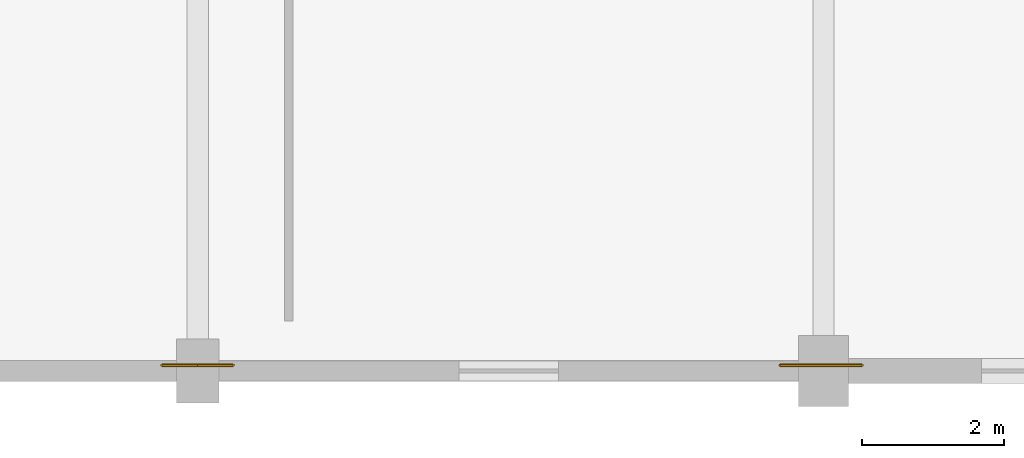
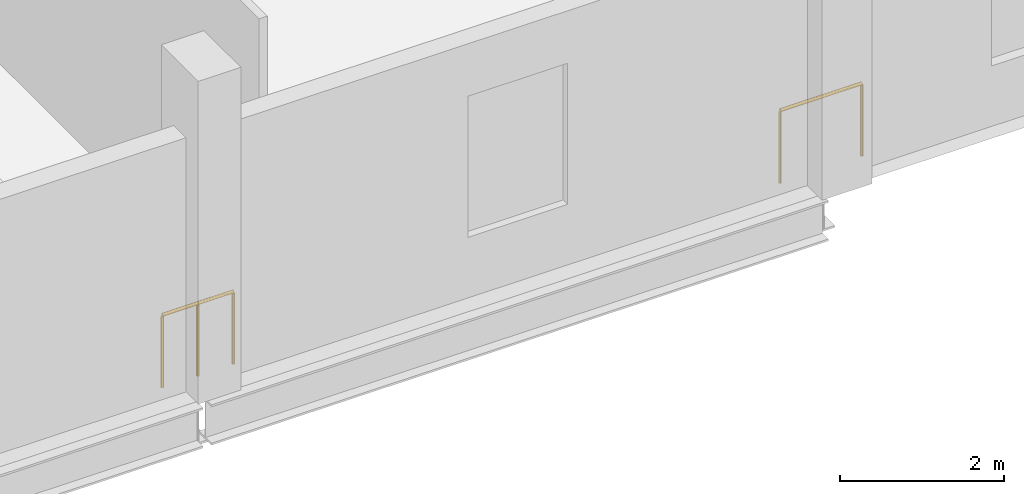
# One storey, part 56 of 74: 3 railings.
"""IFC4 building model written with IfcOpenShell, lengths in metres."""

from ifc_helpers import new_model, si_unit, direction, frame, origin, origin_2d, place, context, subcontext, project, spatial, circle, extrude, material, type_object, element, save


model = new_model("IFC4")

# Units and contexts
model_context = context("Model", 3, precision=1e-05, world=origin(), true_north=direction((0.0, 1.0)))
body_context = subcontext(model_context, "Body", "Model", "MODEL_VIEW")
ifc_project = project(units=[si_unit("LENGTHUNIT", "METRE"), si_unit("AREAUNIT", "SQUARE_METRE"), si_unit("VOLUMEUNIT", "CUBIC_METRE"), si_unit("PLANEANGLEUNIT", "RADIAN"), si_unit("MASSUNIT", "GRAM", prefix="KILO")], contexts=[model_context])

# Site, building, storey
site_placement = place(None, origin())
site = spatial("IfcSite", under=ifc_project, at=site_placement, CompositionType="ELEMENT")
building_placement = place(site_placement, origin())
building = spatial("IfcBuilding", under=site, at=building_placement, Name="Koshinbarg Plaza Stadium", CompositionType="ELEMENT")
storey_placement = place(building_placement, frame((0.0, 0.0, 15.0)))
storey = spatial("IfcBuildingStorey", under=building, at=storey_placement, Name="L03", CompositionType="ELEMENT", Elevation=15.0)

# Railings
ifc_material = material(Name="Toughened laminated glass and stainless steel sightline balustrade", Category="steel")
railing_type = type_object("IfcRailingType", Name="RL-BOWL-1100", PredefinedType="BALUSTRADE", material=ifc_material)
railing_1_placement = place(storey_placement, frame((72.39990234375, 0.080078125, 0.0)))
element("IfcRailing", 1, at=railing_1_placement, inside=storey, type_object=railing_type, Name="L03 deck edge safety balustrade 0260", PredefinedType="BALUSTRADE", context=body_context, shape_type="SweptSolid", body=[
    extrude(circle(Radius=0.02392578125, at=origin_2d()), frame((0.0, 0.0, 1.076171875), z_axis=(-1.0, 0.0, 0.0), x_axis=(0.0, -1.0, 0.0)), (0.0, 0.0, 1.0), 0.49951171875),
    extrude(circle(Radius=0.02099609375, at=origin_2d()), origin(), (0.0, 0.0, 1.0), 1.052001953125),
    extrude(circle(Radius=0.02099609375, at=origin_2d()), frame((-0.49951171875, 0.0, 0.0)), (0.0, 0.0, 1.0), 1.052001953125),
])
railing_2_placement = place(storey_placement, frame((81.74072265625, 0.080078125, 0.0)))
element("IfcRailing", 2, at=railing_2_placement, inside=storey, type_object=railing_type, Name="L03 deck edge safety balustrade 0266", PredefinedType="BALUSTRADE", context=body_context, shape_type="SweptSolid", body=[
    extrude(circle(Radius=0.02392578125, at=origin_2d()), frame((0.0, 0.0, 1.076171875), z_axis=(-1.0, 0.0, 0.0), x_axis=(0.0, -1.0, 0.0)), (0.0, 0.0, 1.0), 1.149169921875),
    extrude(circle(Radius=0.02099609375, at=origin_2d()), origin(), (0.0, 0.0, 1.0), 1.052001953125),
    extrude(circle(Radius=0.02099609375, at=origin_2d()), frame((-1.149169921875, 0.0, 0.0)), (0.0, 0.0, 1.0), 1.052001953125),
])
railing_3_placement = place(storey_placement, frame((72.899658203125, 0.080078125, 0.0)))
element("IfcRailing", 3, at=railing_3_placement, inside=storey, type_object=railing_type, Name="L03 deck edge safety balustrade 0267", PredefinedType="BALUSTRADE", context=body_context, shape_type="SweptSolid", body=[
    extrude(circle(Radius=0.02392578125, at=origin_2d()), frame((0.0, 0.0, 1.076171875), z_axis=(-1.0, 0.0, 0.0), x_axis=(0.0, -1.0, 0.0)), (0.0, 0.0, 1.0), 0.499755859375),
    extrude(circle(Radius=0.02099609375, at=origin_2d()), origin(), (0.0, 0.0, 1.0), 1.052001953125),
    extrude(circle(Radius=0.02099609375, at=origin_2d()), frame((-0.499755859375, 0.0, 0.0)), (0.0, 0.0, 1.0), 1.052001953125),
])

save(model, "model.ifc")
